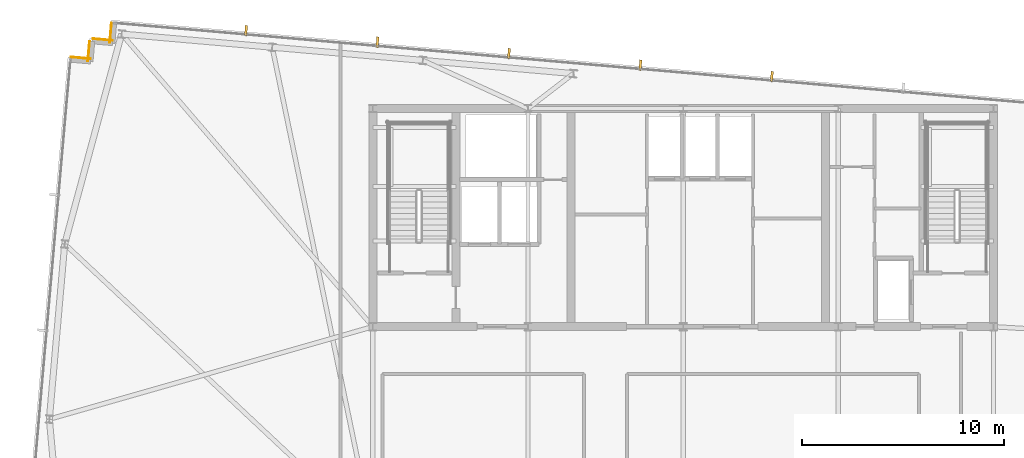
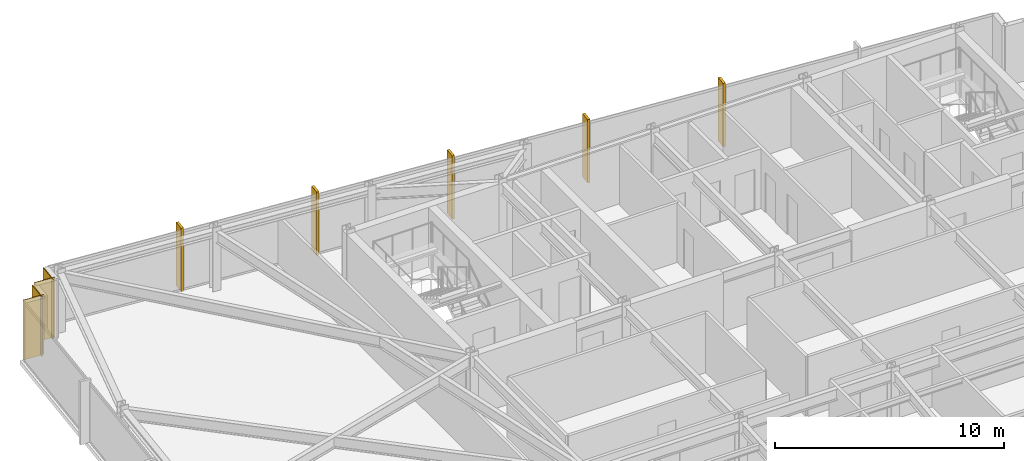
# One storey, part 32 of 32: 5 shading devices, 4 coverings.
"""IFC4 building model written with IfcOpenShell, lengths in metres."""

from ifc_helpers import new_model, si_unit, direction, frame, frame_2d, origin, origin_2d, place, context, subcontext, project, spatial, rectangle, extrude, material, layer, layer_set, type_object, element, save


model = new_model("IFC4")

# Units and contexts
model_context = context("Model", 3, precision=1e-05, world=origin(), true_north=direction((0.0, 1.0)))
body_context = subcontext(model_context, "Body", "Model", "MODEL_VIEW")
ifc_project = project(units=[si_unit("LENGTHUNIT", "METRE"), si_unit("AREAUNIT", "SQUARE_METRE"), si_unit("VOLUMEUNIT", "CUBIC_METRE"), si_unit("PLANEANGLEUNIT", "RADIAN"), si_unit("MASSUNIT", "GRAM", prefix="KILO")], contexts=[model_context])

# Site, building, storey
site_placement = place(None, origin())
site = spatial("IfcSite", under=ifc_project, at=site_placement, CompositionType="ELEMENT")
building_placement = place(site_placement, origin())
building = spatial("IfcBuilding", under=site, at=building_placement, Name="Yelkora Congress Tower", CompositionType="ELEMENT")
storey_placement = place(building_placement, frame((0.0, 0.0, 262.5)))
storey = spatial("IfcBuildingStorey", under=building, at=storey_placement, Name="L73", CompositionType="ELEMENT", Elevation=262.5)

# Coverings
ifc_material_1 = material(Name="Anatolian bush-hammered limestone", Category="masonry")
ifc_layer_1 = layer(ifc_material_1, 0.0400390625)
ifc_layer_set_1 = layer_set([ifc_layer_1], Name="Anatolian bush-hammered limestone")
covering_type = type_object("IfcCoveringType", Name="COV-CLAD-SPANDREL-40", PredefinedType="CLADDING", material=ifc_layer_set_1)
for number, where, z_axis, x_axis, name in (
    (1, (8.0849609375, 48.744140625, 0.0), (0.0, 0.0, 1.0), (0.996195572005, -0.087145753297, 0.0), "L73 Anatolian Limestone Cladding EW-L73-SR06"),
    (2, (8.93505859375, 48.5341796875, 0.0), (0.0, 0.0, 1.0), (0.087145753297, 0.996195572005, 0.0), "L73 Anatolian Limestone Cladding EW-L73-SR07"),
):
    element("IfcCovering", number, at=place(storey_placement, frame(where, z_axis=z_axis, x_axis=x_axis)), inside=storey, type_object=covering_type, Name=name, PredefinedType="CLADDING", context=body_context, shape_type="SweptSolid", body=[
        extrude(rectangle(XDim=1.000244140625, YDim=0.0400390625, at=frame_2d((0.5, 0.0))), origin(), (0.0, 0.0, 1.0), 3.179931640625),
    ])
covering_1_placement = place(storey_placement, frame((9.16845703125, 49.6533203125, 0.0), z_axis=(0.0, 0.0, 1.0), x_axis=(0.996193717496, -0.087166950281, 0.0)))
element("IfcCovering", 3, at=covering_1_placement, inside=storey, type_object=covering_type, Name="L73 Anatolian Limestone Cladding EW-L73-SR08", PredefinedType="CLADDING", context=body_context, shape_type="SweptSolid", body=[
    extrude(rectangle(XDim=1.0, YDim=0.0400390625, at=frame_2d((0.5, 0.0))), origin(), (0.0, 0.0, 1.0), 3.179931640625),
])
covering_2_placement = place(storey_placement, frame((10.018310546875, 49.443359375, 0.0), z_axis=(0.0, 0.0, 1.0), x_axis=(0.087145753297, 0.996195572005, 0.0)))
element("IfcCovering", 4, at=covering_2_placement, inside=storey, type_object=covering_type, Name="L73 Anatolian Limestone Cladding EW-L73-SR09", PredefinedType="CLADDING", context=body_context, shape_type="SweptSolid", body=[
    extrude(rectangle(XDim=1.000244140625, YDim=0.0400390625, at=frame_2d((0.5, 0.0))), origin(), (0.0, 0.0, 1.0), 3.179931640625),
])

# Shading devices
ifc_material_2 = material(Name="Champagne anodised aluminium", Category="aluminium")
ifc_layer_2 = layer(ifc_material_2, 3.300048828125)
ifc_layer_set_2 = layer_set([ifc_layer_2], Name="Champagne anodised aluminium")
shading_device_type = type_object("IfcShadingDeviceType", Name="SHD-FIN-ALU-520", PredefinedType="USERDEFINED", material=ifc_layer_set_2)
for number, where, z_axis, x_axis, name in (
    (5, (16.763916015625, 50.057861328125, -0.030029296875), (0.0, 0.0, 1.0), (0.996194698092, -0.087155742748, 0.0), "L73 Vertical Anodised Solar Fin 10-1"),
    (6, (23.2705078125, 49.488525390625, -0.030029296875), (0.0, 0.0, 1.0), (0.996194698092, -0.087155742748, 0.0), "L73 Vertical Anodised Solar Fin 10-2"),
    (7, (29.777099609375, 48.919189453125, -0.030029296875), (0.0, 0.0, 1.0), (0.996194698092, -0.087155742748, 0.0), "L73 Vertical Anodised Solar Fin 10-3"),
    (8, (36.28369140625, 48.35009765625, -0.030029296875), (0.0, 0.0, 1.0), (0.996194698092, -0.087155742748, 0.0), "L73 Vertical Anodised Solar Fin 10-4"),
    (9, (42.790283203125, 47.78076171875, -0.030029296875), (0.0, 0.0, 1.0), (0.996194698092, -0.087155742748, 0.0), "L73 Vertical Anodised Solar Fin 10-5"),
):
    element("IfcShadingDevice", number, at=place(storey_placement, frame(where, z_axis=z_axis, x_axis=x_axis)), inside=storey, type_object=shading_device_type, Name=name, ObjectType="FIN", PredefinedType="USERDEFINED", context=body_context, shape_type="SweptSolid", body=[
        extrude(rectangle(XDim=0.1201171875, YDim=0.52001953125, at=origin_2d()), origin(), (0.0, 0.0, 1.0), 3.3798828125),
    ])

save(model, "model.ifc")
